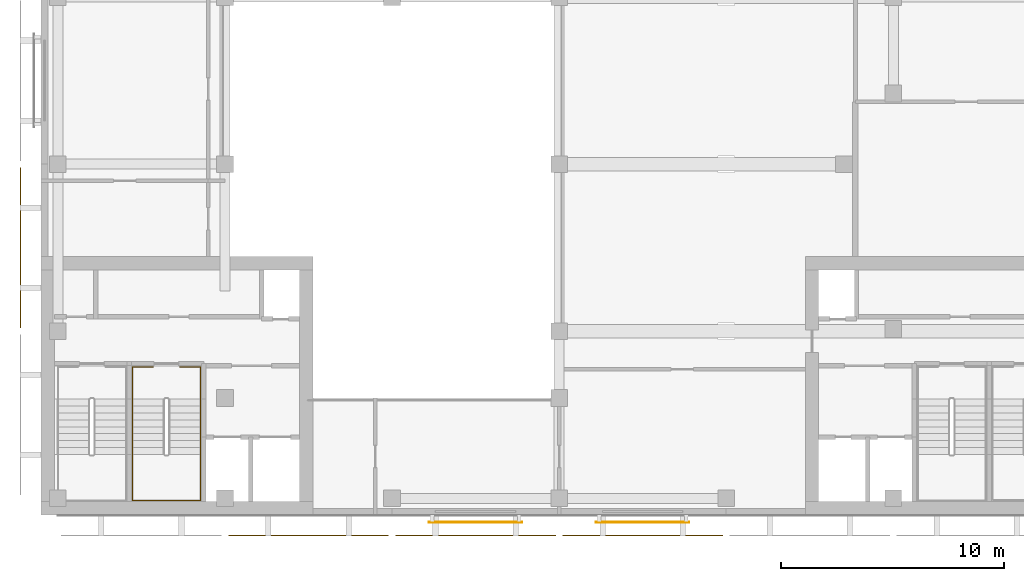
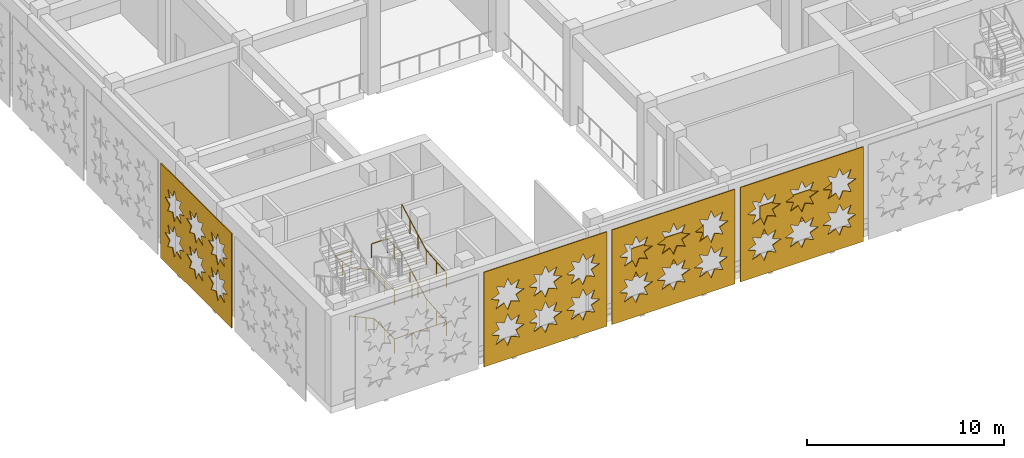
# One storey, part 29 of 46: 6 coverings, 2 railings.
"""IFC4 building model written with IfcOpenShell, lengths in metres."""

import ifcopenshell
import ifcopenshell.guid

model = None  # the IFC model being written
_history = None  # IfcOwnerHistory: only IFC2X3 demands one
_inside = {}  # id of a spatial element -> (the spatial element, [elements in it])
_under = {}  # id of a project, library or spatial element -> (it, [spatial elements below it])
_declared = {}  # id of a project -> (the project, [libraries it declares])
_typed = {}  # id of a type object -> (the type object, [elements of that type])
_made_of = {}  # id of a material, layer set ... -> (it, [elements and type objects made of it])


def new_model(schema):
    """Start an empty IFC model of exactly this schema.

    Asked for "IFC4X3", IfcOpenShell would pick the latest addendum, in which some entities
    have other attributes; the version numbers below select the first issue.
    IFC2X3 requires an IfcOwnerHistory on every rooted entity: one is made here for all.
    """
    global model, _history
    if schema == "IFC4X3":
        model = ifcopenshell.file(schema_version=(4, 3, 0, 0))
    else:
        model = ifcopenshell.file(schema=schema)
    _inside.clear()
    _under.clear()
    _declared.clear()
    _typed.clear()
    _made_of.clear()
    _history = None
    if model.schema == "IFC2X3":
        org = make("IfcOrganization", Name="unknown")
        user = make(
            "IfcPersonAndOrganization",
            ThePerson=make("IfcPerson", FamilyName="unknown"),
            TheOrganization=org,
        )
        app = make(
            "IfcApplication",
            ApplicationDeveloper=org,
            Version="unknown",
            ApplicationFullName="unknown",
            ApplicationIdentifier="unknown",
        )
        _history = make(
            "IfcOwnerHistory",
            OwningUser=user,
            OwningApplication=app,
            ChangeAction="ADDED",
            CreationDate=0,
        )
    return model


def make(cls, **values):
    """One entity of the class cls with the attributes given. An attribute that is None is left unset."""
    return model.create_entity(
        cls, **{name: value for name, value in values.items() if value is not None}
    )


def rooted(cls, **values):
    """An entity with a GlobalId (a new one), such as an element, a storey or a relation."""
    return make(cls, GlobalId=ifcopenshell.guid.new(), OwnerHistory=_history, **values)


def si_unit(unit_type, name, prefix=None):
    """IfcSIUnit, for example si_unit("LENGTHUNIT", "METRE", prefix="MILLI")."""
    return make("IfcSIUnit", UnitType=unit_type, Prefix=prefix, Name=name)


def assignment(units):
    """IfcUnitAssignment: the units of a project."""
    return None if units is None else make("IfcUnitAssignment", Units=units)


def point(xyz):
    """IfcCartesianPoint."""
    return None if xyz is None else make("IfcCartesianPoint", Coordinates=xyz)


def direction(xyz):
    """IfcDirection."""
    return None if xyz is None else make("IfcDirection", DirectionRatios=xyz)


def frame(location, z_axis=None, x_axis=None):
    """IfcAxis2Placement3D, a coordinate frame: its origin and axes. An axis left out is left unset."""
    return make(
        "IfcAxis2Placement3D",
        Location=point(location),
        Axis=direction(z_axis),
        RefDirection=direction(x_axis),
    )


def frame_2d(location, x_axis=None):
    """IfcAxis2Placement2D, a coordinate frame in the plane: its origin and x axis."""
    return make(
        "IfcAxis2Placement2D", Location=point(location), RefDirection=direction(x_axis)
    )


def origin():
    """The frame at (0, 0, 0) with its axes left unset."""
    return frame((0.0, 0.0, 0.0))


def origin_2d():
    """The frame at (0, 0) in the plane with its x axis left unset."""
    return frame_2d((0.0, 0.0))


def place(relative_to, where):
    """IfcLocalPlacement: puts the frame where relative to a parent placement (None: the world)."""
    return make(
        "IfcLocalPlacement", PlacementRelTo=relative_to, RelativePlacement=where
    )


def context(
    kind, dimensions, precision=None, world=None, true_north=None, identifier=None
):
    """IfcGeometricRepresentationContext, for example the 3D "Model" context."""
    return make(
        "IfcGeometricRepresentationContext",
        ContextIdentifier=identifier,
        ContextType=kind,
        CoordinateSpaceDimension=dimensions,
        Precision=precision,
        WorldCoordinateSystem=world,
        TrueNorth=true_north,
    )


def subcontext(parent, identifier, kind, view, scale=None):
    """IfcGeometricRepresentationSubContext, for example "Body" below "Model"."""
    return make(
        "IfcGeometricRepresentationSubContext",
        ContextIdentifier=identifier,
        ContextType=kind,
        ParentContext=parent,
        TargetScale=scale,
        TargetView=view,
    )


def project(units=None, contexts=None):
    """IfcProject with its units and contexts."""
    return rooted(
        "IfcProject",
        Name="project",
        RepresentationContexts=contexts,
        UnitsInContext=assignment(units),
    )


def spatial(cls, under=None, at=None, **own):
    """A site, building, storey or space (cls), placed at a placement, below another one or the project."""
    s = rooted(cls, ObjectPlacement=at, **own)
    if under is not None:
        _under.setdefault(under.id(), (under, []))[1].append(s)
    return s


def polyline(points):
    """IfcPolyline through the points."""
    return make("IfcPolyline", Points=[point(p) for p in points])


def profile(cls, at=None, kind="AREA", **sizes):
    """A parametric profile (cls). Its sizes go by their IFC names, for example OverallWidth=200.0."""
    return make(cls, ProfileType=kind, Position=at, **sizes)


def rectangle(**sizes):
    """IfcRectangleProfileDef."""
    return profile("IfcRectangleProfileDef", **sizes)


def circle(**sizes):
    """IfcCircleProfileDef."""
    return profile("IfcCircleProfileDef", **sizes)


def outline(outer, holes=None, kind="AREA"):
    """IfcArbitraryClosedProfileDef: a profile drawn as a closed curve; with holes, ...WithVoids."""
    if holes is None:
        return make("IfcArbitraryClosedProfileDef", ProfileType=kind, OuterCurve=outer)
    return make(
        "IfcArbitraryProfileDefWithVoids",
        ProfileType=kind,
        OuterCurve=outer,
        InnerCurves=holes,
    )


def extrude(swept, where, along, depth):
    """IfcExtrudedAreaSolid: the profile swept, set in the frame where, extruded along a direction by depth."""
    return make(
        "IfcExtrudedAreaSolid",
        SweptArea=swept,
        Position=where,
        ExtrudedDirection=direction(along),
        Depth=depth,
    )


def shape(context_of_items, identifier, shape_type, items):
    """IfcShapeRepresentation: the items that make up one representation, for example the "Body"."""
    return make(
        "IfcShapeRepresentation",
        ContextOfItems=context_of_items,
        RepresentationIdentifier=identifier,
        RepresentationType=shape_type,
        Items=items,
    )


def material(Name=None, Category=None):
    """IfcMaterial."""
    return make("IfcMaterial", Name=Name, Category=Category)


def layer(
    of_material, thickness, ventilated=None, Name=None, Category=None, Priority=None
):
    """IfcMaterialLayer: one layer of a wall or slab, of a material (None: an air gap)."""
    return make(
        "IfcMaterialLayer",
        Material=of_material,
        LayerThickness=thickness,
        IsVentilated=ventilated,
        Name=Name,
        Category=Category,
        Priority=Priority,
    )


def layer_set(layers, Name=None):
    """IfcMaterialLayerSet."""
    return make("IfcMaterialLayerSet", MaterialLayers=layers, LayerSetName=Name)


def made_of(thing, what):
    """Note that an element or type object is made of a material, layer set ...; save() writes the relation."""
    if what is not None:
        _made_of.setdefault(what.id(), (what, []))[1].append(thing)
    return thing


def type_object(cls, material=None, **own):
    """A type object (cls), such as IfcWallType, which elements share."""
    return made_of(rooted(cls, **own), material)


def element(
    cls,
    number,
    at=None,
    inside=None,
    cuts=None,
    type_object=None,
    material=None,
    context=None,
    identifier="Body",
    shape_type=None,
    held_by="IfcProductDefinitionShape",
    body=None,
    shapes=None,
    **own,
):
    """One element of the class cls, such as IfcWall. Its Tag is "e" and its number.

    at: its placement. inside: the storey or other place that contains it. cuts: it is an
    opening in that element (IfcRelVoidsElement). A single representation is given by context,
    identifier, shape_type and body (its items); several are given by shapes. held_by: the class
    of the entity that holds the representations. save() writes the other relations.
    """
    e = rooted(cls, Tag="e%d" % number, ObjectPlacement=at, **own)
    if body is not None:
        shapes = [shape(context, identifier, shape_type, body)]
    if shapes is not None:
        e.Representation = make(held_by, Representations=shapes)
    if inside is not None:
        _inside.setdefault(inside.id(), (inside, []))[1].append(e)
    if cuts is not None:
        rooted(
            "IfcRelVoidsElement", RelatingBuildingElement=cuts, RelatedOpeningElement=e
        )
    if type_object is not None:
        _typed.setdefault(type_object.id(), (type_object, []))[1].append(e)
    return made_of(e, material)


def aggregate(whole, parts):
    """IfcRelAggregates: a whole, such as a stair, and the parts it consists of."""
    return rooted("IfcRelAggregates", RelatingObject=whole, RelatedObjects=parts)


def save(model, path):
    """Write the relations noted so far, then the file.

    IfcRelAggregates (storeys below a building ...), IfcRelContainedInSpatialStructure (elements
    in a storey), IfcRelDefinesByType, IfcRelAssociatesMaterial and IfcRelDeclares: one each for
    every whole, place, type object, material and project.
    """
    for whole, parts in _under.values():
        aggregate(whole, parts)
    for where, things in _inside.values():
        rooted(
            "IfcRelContainedInSpatialStructure",
            RelatedElements=things,
            RelatingStructure=where,
        )
    for kind, things in _typed.values():
        rooted("IfcRelDefinesByType", RelatedObjects=things, RelatingType=kind)
    for what, things in _made_of.values():
        rooted("IfcRelAssociatesMaterial", RelatedObjects=things, RelatingMaterial=what)
    for by, libraries in _declared.values():
        rooted("IfcRelDeclares", RelatingContext=by, RelatedDefinitions=libraries)
    model.write(path)


model = new_model("IFC4")

# Units and contexts
model_context = context("Model", 3, precision=1e-05, world=origin(), true_north=direction((0.0, 1.0)))
body_context = subcontext(model_context, "Body", "Model", "MODEL_VIEW")
ifc_project = project(units=[si_unit("LENGTHUNIT", "METRE"), si_unit("AREAUNIT", "SQUARE_METRE"), si_unit("VOLUMEUNIT", "CUBIC_METRE"), si_unit("PLANEANGLEUNIT", "RADIAN"), si_unit("MASSUNIT", "GRAM", prefix="KILO")], contexts=[model_context])

# Site, building, storey
site_placement = place(None, origin())
site = spatial("IfcSite", under=ifc_project, at=site_placement, CompositionType="ELEMENT")
building_placement = place(site_placement, origin())
building = spatial("IfcBuilding", under=site, at=building_placement, Name="Tessera Arch", CompositionType="ELEMENT")
storey_placement = place(building_placement, frame((0.0, 0.0, 8.0)))
storey = spatial("IfcBuildingStorey", under=building, at=storey_placement, Name="L01", CompositionType="ELEMENT", Elevation=8.0)

# Coverings
ifc_material_1 = material(Name="Anodised aluminium pale metal", Category="aluminium")
ifc_layer_1 = layer(ifc_material_1, 0.050048828125)
ifc_layer_set_1 = layer_set([ifc_layer_1], Name="Museum lattice skin panel")
covering_type_1 = type_object("IfcCoveringType", Name="Museum lattice skin panel", PredefinedType="CLADDING", material=ifc_layer_set_1)
covering_1_placement = place(storey_placement, frame((-24.14990234375, -33.449951171875, 5.949951171875), z_axis=(0.0, 1.0, 0.0), x_axis=(1.0, 0.0, 0.0)))
element("IfcCovering", 1, at=covering_1_placement, inside=storey, type_object=covering_type_1, Name="Museum lattice skin L01 1-3", PredefinedType="CLADDING", context=body_context, shape_type="SweptSolid", body=[
    extrude(outline(polyline([(0.0, 0.0), (7.199951171875, 0.0), (7.199951171875, 5.849853515625), (0.0, 5.849853515625), (0.0, 0.0)]), holes=[polyline([(2.367919921875, 4.02490234375), (1.887939453125, 3.822998046875), (2.083984375, 3.341064453125), (1.601806640625, 3.536865234375), (1.39990234375, 3.056884765625), (1.197998046875, 3.536865234375), (0.7158203125, 3.341064453125), (0.911865234375, 3.822998046875), (0.431884765625, 4.02490234375), (0.911865234375, 4.22705078125), (0.7158203125, 4.708984375), (1.197998046875, 4.512939453125), (1.39990234375, 4.992919921875), (1.601806640625, 4.512939453125), (2.083984375, 4.708984375), (1.887939453125, 4.22705078125), (2.367919921875, 4.02490234375)]), polyline([(2.367919921875, 1.824951171875), (1.887939453125, 1.623046875), (2.083984375, 1.140869140625), (1.601806640625, 1.3369140625), (1.39990234375, 0.85693359375), (1.197998046875, 1.3369140625), (0.7158203125, 1.140869140625), (0.911865234375, 1.623046875), (0.431884765625, 1.824951171875), (0.911865234375, 2.02685546875), (0.7158203125, 2.509033203125), (1.197998046875, 2.31298828125), (1.39990234375, 2.79296875), (1.601806640625, 2.31298828125), (2.083984375, 2.509033203125), (1.887939453125, 2.02685546875), (2.367919921875, 1.824951171875)]), polyline([(4.56787109375, 4.02490234375), (4.087890625, 3.822998046875), (4.283935546875, 3.341064453125), (3.802001953125, 3.536865234375), (3.599853515625, 3.056884765625), (3.39794921875, 3.536865234375), (2.916015625, 3.341064453125), (3.11181640625, 3.822998046875), (2.6318359375, 4.02490234375), (3.11181640625, 4.22705078125), (2.916015625, 4.708984375), (3.39794921875, 4.512939453125), (3.599853515625, 4.992919921875), (3.802001953125, 4.512939453125), (4.283935546875, 4.708984375), (4.087890625, 4.22705078125), (4.56787109375, 4.02490234375)]), polyline([(4.56787109375, 1.824951171875), (4.087890625, 1.623046875), (4.283935546875, 1.140869140625), (3.802001953125, 1.3369140625), (3.599853515625, 0.85693359375), (3.39794921875, 1.3369140625), (2.916015625, 1.140869140625), (3.11181640625, 1.623046875), (2.6318359375, 1.824951171875), (3.11181640625, 2.02685546875), (2.916015625, 2.509033203125), (3.39794921875, 2.31298828125), (3.599853515625, 2.79296875), (3.802001953125, 2.31298828125), (4.283935546875, 2.509033203125), (4.087890625, 2.02685546875), (4.56787109375, 1.824951171875)]), polyline([(6.767822265625, 4.02490234375), (6.287841796875, 3.822998046875), (6.48388671875, 3.341064453125), (6.001953125, 3.536865234375), (5.7998046875, 3.056884765625), (5.597900390625, 3.536865234375), (5.115966796875, 3.341064453125), (5.31201171875, 3.822998046875), (4.831787109375, 4.02490234375), (5.31201171875, 4.22705078125), (5.115966796875, 4.708984375), (5.597900390625, 4.512939453125), (5.7998046875, 4.992919921875), (6.001953125, 4.512939453125), (6.48388671875, 4.708984375), (6.287841796875, 4.22705078125), (6.767822265625, 4.02490234375)]), polyline([(6.767822265625, 1.824951171875), (6.287841796875, 1.623046875), (6.48388671875, 1.140869140625), (6.001953125, 1.3369140625), (5.7998046875, 0.85693359375), (5.597900390625, 1.3369140625), (5.115966796875, 1.140869140625), (5.31201171875, 1.623046875), (4.831787109375, 1.824951171875), (5.31201171875, 2.02685546875), (5.115966796875, 2.509033203125), (5.597900390625, 2.31298828125), (5.7998046875, 2.79296875), (6.001953125, 2.31298828125), (6.48388671875, 2.509033203125), (6.287841796875, 2.02685546875), (6.767822265625, 1.824951171875)])]), origin(), (0.0, 0.0, -1.0), 0.050048828125),
])
covering_2_placement = place(storey_placement, frame((-16.64990234375, -33.449951171875, 5.949951171875), z_axis=(0.0, 1.0, 0.0), x_axis=(1.0, 0.0, 0.0)))
element("IfcCovering", 2, at=covering_2_placement, inside=storey, type_object=covering_type_1, Name="Museum lattice skin L01 1-4", PredefinedType="CLADDING", context=body_context, shape_type="SweptSolid", body=[
    extrude(outline(polyline([(0.0, 0.0), (7.199951171875, 0.0), (7.199951171875, 5.849853515625), (0.0, 5.849853515625), (0.0, 0.0)]), holes=[polyline([(2.367919921875, 4.02490234375), (1.887939453125, 3.822998046875), (2.083984375, 3.341064453125), (1.601806640625, 3.536865234375), (1.39990234375, 3.056884765625), (1.197998046875, 3.536865234375), (0.7158203125, 3.341064453125), (0.911865234375, 3.822998046875), (0.431884765625, 4.02490234375), (0.911865234375, 4.22705078125), (0.7158203125, 4.708984375), (1.197998046875, 4.512939453125), (1.39990234375, 4.992919921875), (1.601806640625, 4.512939453125), (2.083984375, 4.708984375), (1.887939453125, 4.22705078125), (2.367919921875, 4.02490234375)]), polyline([(2.367919921875, 1.824951171875), (1.887939453125, 1.623046875), (2.083984375, 1.140869140625), (1.601806640625, 1.3369140625), (1.39990234375, 0.85693359375), (1.197998046875, 1.3369140625), (0.7158203125, 1.140869140625), (0.911865234375, 1.623046875), (0.431884765625, 1.824951171875), (0.911865234375, 2.02685546875), (0.7158203125, 2.509033203125), (1.197998046875, 2.31298828125), (1.39990234375, 2.79296875), (1.601806640625, 2.31298828125), (2.083984375, 2.509033203125), (1.887939453125, 2.02685546875), (2.367919921875, 1.824951171875)]), polyline([(4.56787109375, 4.02490234375), (4.087890625, 3.822998046875), (4.283935546875, 3.341064453125), (3.802001953125, 3.536865234375), (3.599853515625, 3.056884765625), (3.39794921875, 3.536865234375), (2.916015625, 3.341064453125), (3.11181640625, 3.822998046875), (2.6318359375, 4.02490234375), (3.11181640625, 4.22705078125), (2.916015625, 4.708984375), (3.39794921875, 4.512939453125), (3.599853515625, 4.992919921875), (3.802001953125, 4.512939453125), (4.283935546875, 4.708984375), (4.087890625, 4.22705078125), (4.56787109375, 4.02490234375)]), polyline([(4.56787109375, 1.824951171875), (4.087890625, 1.623046875), (4.283935546875, 1.140869140625), (3.802001953125, 1.3369140625), (3.599853515625, 0.85693359375), (3.39794921875, 1.3369140625), (2.916015625, 1.140869140625), (3.11181640625, 1.623046875), (2.6318359375, 1.824951171875), (3.11181640625, 2.02685546875), (2.916015625, 2.509033203125), (3.39794921875, 2.31298828125), (3.599853515625, 2.79296875), (3.802001953125, 2.31298828125), (4.283935546875, 2.509033203125), (4.087890625, 2.02685546875), (4.56787109375, 1.824951171875)]), polyline([(6.767822265625, 4.02490234375), (6.287841796875, 3.822998046875), (6.48388671875, 3.341064453125), (6.001953125, 3.536865234375), (5.7998046875, 3.056884765625), (5.597900390625, 3.536865234375), (5.115966796875, 3.341064453125), (5.31201171875, 3.822998046875), (4.831787109375, 4.02490234375), (5.31201171875, 4.22705078125), (5.115966796875, 4.708984375), (5.597900390625, 4.512939453125), (5.7998046875, 4.992919921875), (6.001953125, 4.512939453125), (6.48388671875, 4.708984375), (6.287841796875, 4.22705078125), (6.767822265625, 4.02490234375)]), polyline([(6.767822265625, 1.824951171875), (6.287841796875, 1.623046875), (6.48388671875, 1.140869140625), (6.001953125, 1.3369140625), (5.7998046875, 0.85693359375), (5.597900390625, 1.3369140625), (5.115966796875, 1.140869140625), (5.31201171875, 1.623046875), (4.831787109375, 1.824951171875), (5.31201171875, 2.02685546875), (5.115966796875, 2.509033203125), (5.597900390625, 2.31298828125), (5.7998046875, 2.79296875), (6.001953125, 2.31298828125), (6.48388671875, 2.509033203125), (6.287841796875, 2.02685546875), (6.767822265625, 1.824951171875)])]), origin(), (0.0, 0.0, -1.0), 0.050048828125),
])
covering_3_placement = place(storey_placement, frame((-9.14990234375, -33.449951171875, 5.949951171875), z_axis=(0.0, 1.0, 0.0), x_axis=(1.0, 0.0, 0.0)))
element("IfcCovering", 3, at=covering_3_placement, inside=storey, type_object=covering_type_1, Name="Museum lattice skin L01 1-5", PredefinedType="CLADDING", context=body_context, shape_type="SweptSolid", body=[
    extrude(outline(polyline([(0.0, 0.0), (7.199951171875, 0.0), (7.199951171875, 5.849853515625), (0.0, 5.849853515625), (0.0, 0.0)]), holes=[polyline([(2.367919921875, 4.02490234375), (1.887939453125, 3.822998046875), (2.083984375, 3.341064453125), (1.601806640625, 3.536865234375), (1.39990234375, 3.056884765625), (1.197998046875, 3.536865234375), (0.7158203125, 3.341064453125), (0.911865234375, 3.822998046875), (0.431884765625, 4.02490234375), (0.911865234375, 4.22705078125), (0.7158203125, 4.708984375), (1.197998046875, 4.512939453125), (1.39990234375, 4.992919921875), (1.601806640625, 4.512939453125), (2.083984375, 4.708984375), (1.887939453125, 4.22705078125), (2.367919921875, 4.02490234375)]), polyline([(2.367919921875, 1.824951171875), (1.887939453125, 1.623046875), (2.083984375, 1.140869140625), (1.601806640625, 1.3369140625), (1.39990234375, 0.85693359375), (1.197998046875, 1.3369140625), (0.7158203125, 1.140869140625), (0.911865234375, 1.623046875), (0.431884765625, 1.824951171875), (0.911865234375, 2.02685546875), (0.7158203125, 2.509033203125), (1.197998046875, 2.31298828125), (1.39990234375, 2.79296875), (1.601806640625, 2.31298828125), (2.083984375, 2.509033203125), (1.887939453125, 2.02685546875), (2.367919921875, 1.824951171875)]), polyline([(4.56787109375, 4.02490234375), (4.087890625, 3.822998046875), (4.283935546875, 3.341064453125), (3.802001953125, 3.536865234375), (3.599853515625, 3.056884765625), (3.39794921875, 3.536865234375), (2.916015625, 3.341064453125), (3.11181640625, 3.822998046875), (2.6318359375, 4.02490234375), (3.11181640625, 4.22705078125), (2.916015625, 4.708984375), (3.39794921875, 4.512939453125), (3.599853515625, 4.992919921875), (3.802001953125, 4.512939453125), (4.283935546875, 4.708984375), (4.087890625, 4.22705078125), (4.56787109375, 4.02490234375)]), polyline([(4.56787109375, 1.824951171875), (4.087890625, 1.623046875), (4.283935546875, 1.140869140625), (3.802001953125, 1.3369140625), (3.599853515625, 0.85693359375), (3.39794921875, 1.3369140625), (2.916015625, 1.140869140625), (3.11181640625, 1.623046875), (2.6318359375, 1.824951171875), (3.11181640625, 2.02685546875), (2.916015625, 2.509033203125), (3.39794921875, 2.31298828125), (3.599853515625, 2.79296875), (3.802001953125, 2.31298828125), (4.283935546875, 2.509033203125), (4.087890625, 2.02685546875), (4.56787109375, 1.824951171875)]), polyline([(6.767822265625, 4.02490234375), (6.287841796875, 3.822998046875), (6.48388671875, 3.341064453125), (6.001953125, 3.536865234375), (5.7998046875, 3.056884765625), (5.597900390625, 3.536865234375), (5.115966796875, 3.341064453125), (5.31201171875, 3.822998046875), (4.831787109375, 4.02490234375), (5.31201171875, 4.22705078125), (5.115966796875, 4.708984375), (5.597900390625, 4.512939453125), (5.7998046875, 4.992919921875), (6.001953125, 4.512939453125), (6.48388671875, 4.708984375), (6.287841796875, 4.22705078125), (6.767822265625, 4.02490234375)]), polyline([(6.767822265625, 1.824951171875), (6.287841796875, 1.623046875), (6.48388671875, 1.140869140625), (6.001953125, 1.3369140625), (5.7998046875, 0.85693359375), (5.597900390625, 1.3369140625), (5.115966796875, 1.140869140625), (5.31201171875, 1.623046875), (4.831787109375, 1.824951171875), (5.31201171875, 2.02685546875), (5.115966796875, 2.509033203125), (5.597900390625, 2.31298828125), (5.7998046875, 2.79296875), (6.001953125, 2.31298828125), (6.48388671875, 2.509033203125), (6.287841796875, 2.02685546875), (6.767822265625, 1.824951171875)])]), origin(), (0.0, 0.0, -1.0), 0.050048828125),
])
covering_4_placement = place(storey_placement, frame((-33.449951171875, -16.949951171875, 5.949951171875), z_axis=(1.0, 0.0, 0.0), x_axis=(0.0, -1.0, 0.0)))
element("IfcCovering", 4, at=covering_4_placement, inside=storey, type_object=covering_type_1, Name="Museum lattice skin L01 6-12", PredefinedType="CLADDING", context=body_context, shape_type="SweptSolid", body=[
    extrude(outline(polyline([(0.0, 0.0), (7.199951171875, 0.0), (7.199951171875, 5.849853515625), (0.0, 5.849853515625), (0.0, 0.0)]), holes=[polyline([(2.3681640625, 4.02490234375), (1.887939453125, 3.822998046875), (2.083984375, 3.341064453125), (1.60205078125, 3.536865234375), (1.400146484375, 3.056884765625), (1.197998046875, 3.536865234375), (0.716064453125, 3.341064453125), (0.912109375, 3.822998046875), (0.43212890625, 4.02490234375), (0.912109375, 4.22705078125), (0.716064453125, 4.708984375), (1.197998046875, 4.512939453125), (1.400146484375, 4.992919921875), (1.60205078125, 4.512939453125), (2.083984375, 4.708984375), (1.887939453125, 4.22705078125), (2.3681640625, 4.02490234375)]), polyline([(2.3681640625, 1.824951171875), (1.887939453125, 1.623046875), (2.083984375, 1.140869140625), (1.60205078125, 1.3369140625), (1.400146484375, 0.85693359375), (1.197998046875, 1.3369140625), (0.716064453125, 1.140869140625), (0.912109375, 1.623046875), (0.43212890625, 1.824951171875), (0.912109375, 2.02685546875), (0.716064453125, 2.509033203125), (1.197998046875, 2.31298828125), (1.400146484375, 2.79296875), (1.60205078125, 2.31298828125), (2.083984375, 2.509033203125), (1.887939453125, 2.02685546875), (2.3681640625, 1.824951171875)]), polyline([(4.568115234375, 4.02490234375), (4.088134765625, 3.822998046875), (4.283935546875, 3.341064453125), (3.802001953125, 3.536865234375), (3.60009765625, 3.056884765625), (3.39794921875, 3.536865234375), (2.916015625, 3.341064453125), (3.112060546875, 3.822998046875), (2.632080078125, 4.02490234375), (3.112060546875, 4.22705078125), (2.916015625, 4.708984375), (3.39794921875, 4.512939453125), (3.60009765625, 4.992919921875), (3.802001953125, 4.512939453125), (4.283935546875, 4.708984375), (4.088134765625, 4.22705078125), (4.568115234375, 4.02490234375)]), polyline([(4.568115234375, 1.824951171875), (4.088134765625, 1.623046875), (4.283935546875, 1.140869140625), (3.802001953125, 1.3369140625), (3.60009765625, 0.85693359375), (3.39794921875, 1.3369140625), (2.916015625, 1.140869140625), (3.112060546875, 1.623046875), (2.632080078125, 1.824951171875), (3.112060546875, 2.02685546875), (2.916015625, 2.509033203125), (3.39794921875, 2.31298828125), (3.60009765625, 2.79296875), (3.802001953125, 2.31298828125), (4.283935546875, 2.509033203125), (4.088134765625, 2.02685546875), (4.568115234375, 1.824951171875)]), polyline([(6.76806640625, 4.02490234375), (6.2880859375, 3.822998046875), (6.484130859375, 3.341064453125), (6.001953125, 3.536865234375), (5.800048828125, 3.056884765625), (5.59814453125, 3.536865234375), (5.115966796875, 3.341064453125), (5.31201171875, 3.822998046875), (4.83203125, 4.02490234375), (5.31201171875, 4.22705078125), (5.115966796875, 4.708984375), (5.59814453125, 4.512939453125), (5.800048828125, 4.992919921875), (6.001953125, 4.512939453125), (6.484130859375, 4.708984375), (6.2880859375, 4.22705078125), (6.76806640625, 4.02490234375)]), polyline([(6.76806640625, 1.824951171875), (6.2880859375, 1.623046875), (6.484130859375, 1.140869140625), (6.001953125, 1.3369140625), (5.800048828125, 0.85693359375), (5.59814453125, 1.3369140625), (5.115966796875, 1.140869140625), (5.31201171875, 1.623046875), (4.83203125, 1.824951171875), (5.31201171875, 2.02685546875), (5.115966796875, 2.509033203125), (5.59814453125, 2.31298828125), (5.800048828125, 2.79296875), (6.001953125, 2.31298828125), (6.484130859375, 2.509033203125), (6.2880859375, 2.02685546875), (6.76806640625, 1.824951171875)])]), origin(), (0.0, 0.0, -1.0), 0.050048828125),
])
ifc_material_2 = material(Name="Anodised aluminium pale metal", Category="aluminium")
ifc_layer_2 = layer(ifc_material_2, 0.0400390625)
ifc_layer_set_2 = layer_set([ifc_layer_2], Name="Museum screen panel")
covering_type_2 = type_object("IfcCoveringType", Name="Museum screen panel", PredefinedType="CLADDING", material=ifc_layer_set_2)
for number, where, z_axis, x_axis, name in (
    (5, (-13.050048828125, -32.8701171875, 2.10009765625), (0.0, 0.0, 1.0), (1.0, 0.0, 0.0), "Screen panel museum L01 1-4"),
    (6, (-5.550048828125, -32.8701171875, 2.10009765625), (0.0, 0.0, 1.0), (1.0, 0.0, 0.0), "Screen panel museum L01 1-5"),
):
    element("IfcCovering", number, at=place(storey_placement, frame(where, z_axis=z_axis, x_axis=x_axis)), inside=storey, type_object=covering_type_2, Name=name, PredefinedType="CLADDING", context=body_context, shape_type="SweptSolid", body=[
        extrude(rectangle(XDim=4.199951171875, YDim=0.0400390625, at=origin_2d()), origin(), (0.0, 0.0, 1.0), 1.800048828125),
    ])

# Railings
ifc_material_3 = material(Name="Painted steel handrail", Category="steel")
railing_type = type_object("IfcRailingType", Name="Stair handrail 900", PredefinedType="HANDRAIL", material=ifc_material_3)
railing_1_placement = place(storey_placement, frame((-28.449951171875, -27.35009765625, 0.166748046875)))
element("IfcRailing", 7, at=railing_1_placement, inside=storey, type_object=railing_type, Name="L01 M2b stair handrail", PredefinedType="HANDRAIL", context=body_context, shape_type="SweptSolid", body=[
    extrude(circle(Radius=0.02392578125, at=origin_2d()), frame((0.0, 0.00341796875, 0.8740234375), z_axis=(0.0, -0.880785522881, 0.473515430248), x_axis=(1.0, 0.0, 0.0)), (0.0, 0.0, 1.0), 2.82373046875),
    extrude(circle(Radius=0.02392578125, at=origin_2d()), frame((0.0, -2.47607421875, 2.208984375), z_axis=(0.0, -1.0, 0.0), x_axis=(1.0, 0.0, 0.0)), (0.0, 0.0, 1.0), 2.077880859375),
    extrude(circle(Radius=0.02392578125, at=origin_2d()), frame((-0.00390625, -4.5498046875, 2.208984375), z_axis=(1.0, 0.0, 0.0), x_axis=(0.0, 1.0, 0.0)), (0.0, 0.0, 1.0), 3.05810546875),
    extrude(circle(Radius=0.02392578125, at=origin_2d()), frame((3.050048828125, -4.5537109375, 2.208740234375), z_axis=(0.0, 0.99677063694, 0.080301290992), x_axis=(-1.0, 0.0, 0.0)), (0.0, 0.0, 1.0), 2.08447265625),
    extrude(circle(Radius=0.02392578125, at=origin_2d()), frame((3.050048828125, -2.4833984375, 2.3740234375), z_axis=(0.0, 0.880785522881, 0.473515430248), x_axis=(-1.0, 0.0, 0.0)), (0.0, 0.0, 1.0), 2.82373046875),
    extrude(circle(Radius=0.02392578125, at=origin_2d()), frame((3.050048828125, -0.00390625, 3.708984375), z_axis=(0.0, 1.0, 0.0), x_axis=(-1.0, 0.0, 0.0)), (0.0, 0.0, 1.0), 1.458251953125),
    extrude(circle(Radius=0.02392578125, at=origin_2d()), frame((3.053955078125, 1.4501953125, 3.708984375), z_axis=(-1.0, 0.0, 0.0), x_axis=(0.0, -1.0, 0.0)), (0.0, 0.0, 1.0), 0.93310546875),
    extrude(circle(Radius=0.02099609375, at=origin_2d()), origin(), (0.0, 0.0, 1.0), 0.86376953125),
    extrude(circle(Radius=0.02099609375, at=origin_2d()), frame((0.0, -0.82666015625, 0.4443359375)), (0.0, 0.0, 1.0), 0.86376953125),
    extrude(circle(Radius=0.02099609375, at=origin_2d()), frame((0.0, -1.6533203125, 0.888916015625)), (0.0, 0.0, 1.0), 0.86376953125),
    extrude(circle(Radius=0.02099609375, at=origin_2d()), frame((0.0, -2.47998046875, 1.333251953125)), (0.0, 0.0, 1.0), 0.86376953125),
    extrude(circle(Radius=0.02099609375, at=origin_2d()), frame((0.0, -3.514892578125, 1.333251953125)), (0.0, 0.0, 1.0), 0.86376953125),
    extrude(circle(Radius=0.02099609375, at=origin_2d()), frame((0.0, -4.5498046875, 1.333251953125)), (0.0, 0.0, 1.0), 0.86376953125),
    extrude(circle(Radius=0.02099609375, at=origin_2d()), frame((1.0166015625, -4.5498046875, 1.333251953125)), (0.0, 0.0, 1.0), 0.86376953125),
    extrude(circle(Radius=0.02099609375, at=origin_2d()), frame((2.033447265625, -4.5498046875, 1.333251953125)), (0.0, 0.0, 1.0), 0.86376953125),
    extrude(circle(Radius=0.02099609375, at=origin_2d()), frame((3.050048828125, -4.5498046875, 1.333251953125)), (0.0, 0.0, 1.0), 0.86376953125),
    extrude(circle(Radius=0.02099609375, at=origin_2d()), frame((3.050048828125, -3.514892578125, 1.41650390625)), (0.0, 0.0, 1.0), 0.86376953125),
    extrude(circle(Radius=0.02099609375, at=origin_2d()), frame((3.050048828125, -2.47998046875, 1.5)), (0.0, 0.0, 1.0), 0.86376953125),
    extrude(circle(Radius=0.02099609375, at=origin_2d()), frame((3.050048828125, -1.6533203125, 1.9443359375)), (0.0, 0.0, 1.0), 0.86376953125),
    extrude(circle(Radius=0.02099609375, at=origin_2d()), frame((3.050048828125, -0.82666015625, 2.388916015625)), (0.0, 0.0, 1.0), 0.86376953125),
    extrude(circle(Radius=0.02099609375, at=origin_2d()), frame((3.050048828125, 0.0, 2.833251953125)), (0.0, 0.0, 1.0), 0.86376953125),
    extrude(circle(Radius=0.02099609375, at=origin_2d()), frame((3.050048828125, 0.72509765625, 2.833251953125)), (0.0, 0.0, 1.0), 0.86376953125),
    extrude(circle(Radius=0.02099609375, at=origin_2d()), frame((3.050048828125, 1.4501953125, 2.833251953125)), (0.0, 0.0, 1.0), 0.86376953125),
    extrude(circle(Radius=0.02099609375, at=origin_2d()), frame((2.125, 1.4501953125, 2.833251953125)), (0.0, 0.0, 1.0), 0.86376953125),
])
railing_2_placement = place(storey_placement, frame((-27.52490234375, -25.89990234375, 3.0)))
element("IfcRailing", 8, at=railing_2_placement, inside=storey, type_object=railing_type, Name="L01 M2b stair handrail 2", PredefinedType="HANDRAIL", context=body_context, shape_type="SweptSolid", body=[
    extrude(circle(Radius=0.02392578125, at=origin_2d()), frame((0.00390625, 0.0, 0.8759765625), z_axis=(-1.0, 0.0, 0.0), x_axis=(0.0, -1.0, 0.0)), (0.0, 0.0, 1.0), 0.93310546875),
    extrude(circle(Radius=0.02392578125, at=origin_2d()), frame((-0.925048828125, 0.00390625, 0.87548828125), z_axis=(0.0, -0.993454271282, 0.114230516378), x_axis=(1.0, 0.0, 0.0)), (0.0, 0.0, 1.0), 1.4677734375),
    extrude(circle(Radius=0.02392578125, at=origin_2d()), frame((-0.925048828125, -1.44677734375, 1.040771484375), z_axis=(0.0, -0.880785522881, 0.473515430248), x_axis=(1.0, 0.0, 0.0)), (0.0, 0.0, 1.0), 2.82373046875),
    extrude(circle(Radius=0.02392578125, at=origin_2d()), frame((-0.925048828125, -3.92626953125, 2.3759765625), z_axis=(0.0, -1.0, 0.0), x_axis=(1.0, 0.0, 0.0)), (0.0, 0.0, 1.0), 2.077880859375),
    extrude(circle(Radius=0.02392578125, at=origin_2d()), frame((-0.928955078125, -6.0, 2.3759765625), z_axis=(1.0, 0.0, 0.0), x_axis=(0.0, 1.0, 0.0)), (0.0, 0.0, 1.0), 3.05810546875),
    extrude(circle(Radius=0.02392578125, at=origin_2d()), frame((2.125, -6.00390625, 2.37548828125), z_axis=(0.0, 0.99677063694, 0.080301290992), x_axis=(-1.0, 0.0, 0.0)), (0.0, 0.0, 1.0), 2.08447265625),
    extrude(circle(Radius=0.02392578125, at=origin_2d()), frame((2.125, -3.93359375, 2.540771484375), z_axis=(0.0, 0.880785522881, 0.473515430248), x_axis=(-1.0, 0.0, 0.0)), (0.0, 0.0, 1.0), 2.82373046875),
    extrude(circle(Radius=0.02099609375, at=origin_2d()), origin(), (0.0, 0.0, 1.0), 0.86376953125),
    extrude(circle(Radius=0.02099609375, at=origin_2d()), frame((-0.925048828125, 0.0, 0.0)), (0.0, 0.0, 1.0), 0.86376953125),
    extrude(circle(Radius=0.02099609375, at=origin_2d()), frame((-0.925048828125, -0.72509765625, 0.08349609375)), (0.0, 0.0, 1.0), 0.86376953125),
    extrude(circle(Radius=0.02099609375, at=origin_2d()), frame((-0.925048828125, -1.4501953125, 0.166748046875)), (0.0, 0.0, 1.0), 0.86376953125),
    extrude(circle(Radius=0.02099609375, at=origin_2d()), frame((-0.925048828125, -2.27685546875, 0.611083984375)), (0.0, 0.0, 1.0), 0.86376953125),
    extrude(circle(Radius=0.02099609375, at=origin_2d()), frame((-0.925048828125, -3.103515625, 1.0556640625)), (0.0, 0.0, 1.0), 0.86376953125),
    extrude(circle(Radius=0.02099609375, at=origin_2d()), frame((-0.925048828125, -3.93017578125, 1.5)), (0.0, 0.0, 1.0), 0.86376953125),
    extrude(circle(Radius=0.02099609375, at=origin_2d()), frame((-0.925048828125, -4.965087890625, 1.5)), (0.0, 0.0, 1.0), 0.86376953125),
    extrude(circle(Radius=0.02099609375, at=origin_2d()), frame((-0.925048828125, -6.0, 1.5)), (0.0, 0.0, 1.0), 0.86376953125),
    extrude(circle(Radius=0.02099609375, at=origin_2d()), frame((0.091552734375, -6.0, 1.5)), (0.0, 0.0, 1.0), 0.86376953125),
    extrude(circle(Radius=0.02099609375, at=origin_2d()), frame((1.1083984375, -6.0, 1.5)), (0.0, 0.0, 1.0), 0.86376953125),
    extrude(circle(Radius=0.02099609375, at=origin_2d()), frame((2.125, -6.0, 1.5)), (0.0, 0.0, 1.0), 0.86376953125),
    extrude(circle(Radius=0.02099609375, at=origin_2d()), frame((2.125, -4.965087890625, 1.58349609375)), (0.0, 0.0, 1.0), 0.86376953125),
    extrude(circle(Radius=0.02099609375, at=origin_2d()), frame((2.125, -3.93017578125, 1.666748046875)), (0.0, 0.0, 1.0), 0.86376953125),
    extrude(circle(Radius=0.02099609375, at=origin_2d()), frame((2.125, -3.103515625, 2.111083984375)), (0.0, 0.0, 1.0), 0.86376953125),
    extrude(circle(Radius=0.02099609375, at=origin_2d()), frame((2.125, -2.27685546875, 2.5556640625)), (0.0, 0.0, 1.0), 0.86376953125),
    extrude(circle(Radius=0.02099609375, at=origin_2d()), frame((2.125, -1.4501953125, 3.0)), (0.0, 0.0, 1.0), 0.86376953125),
])

save(model, "model.ifc")
